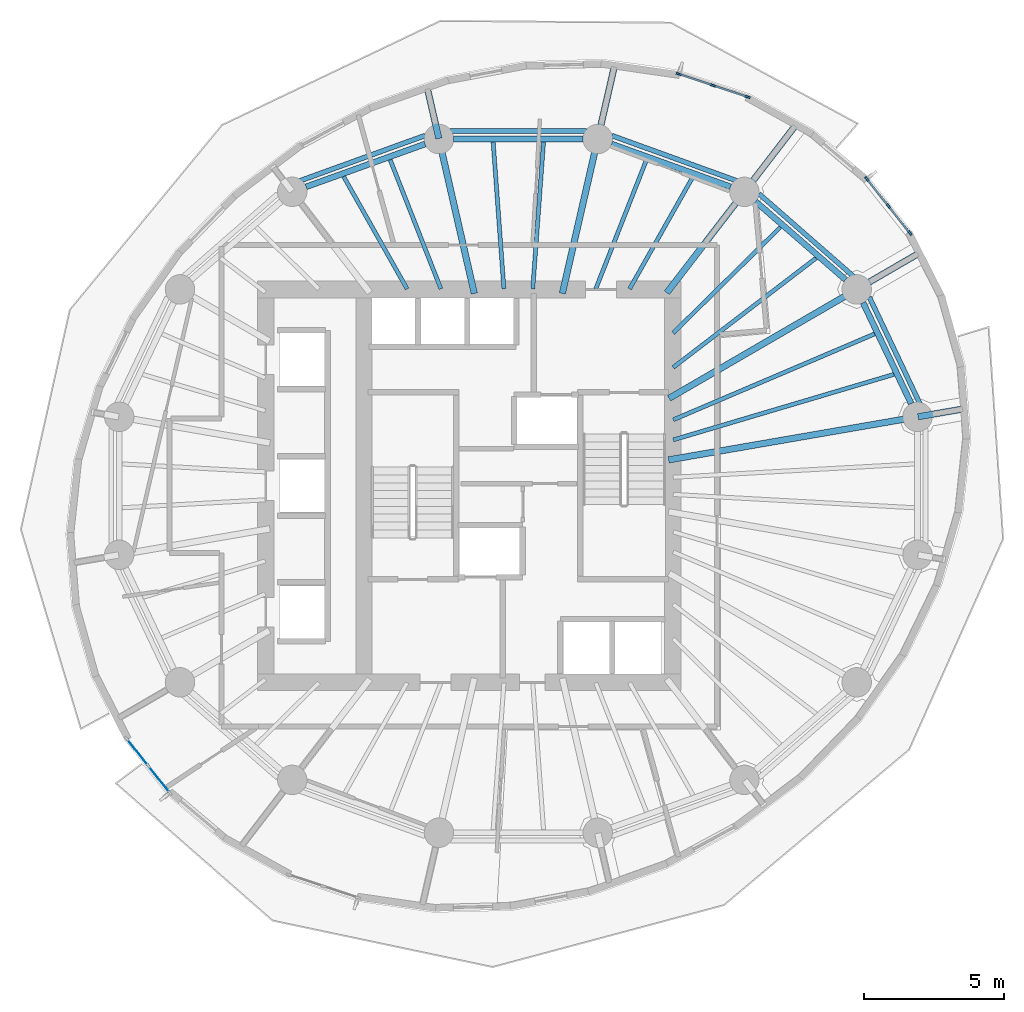
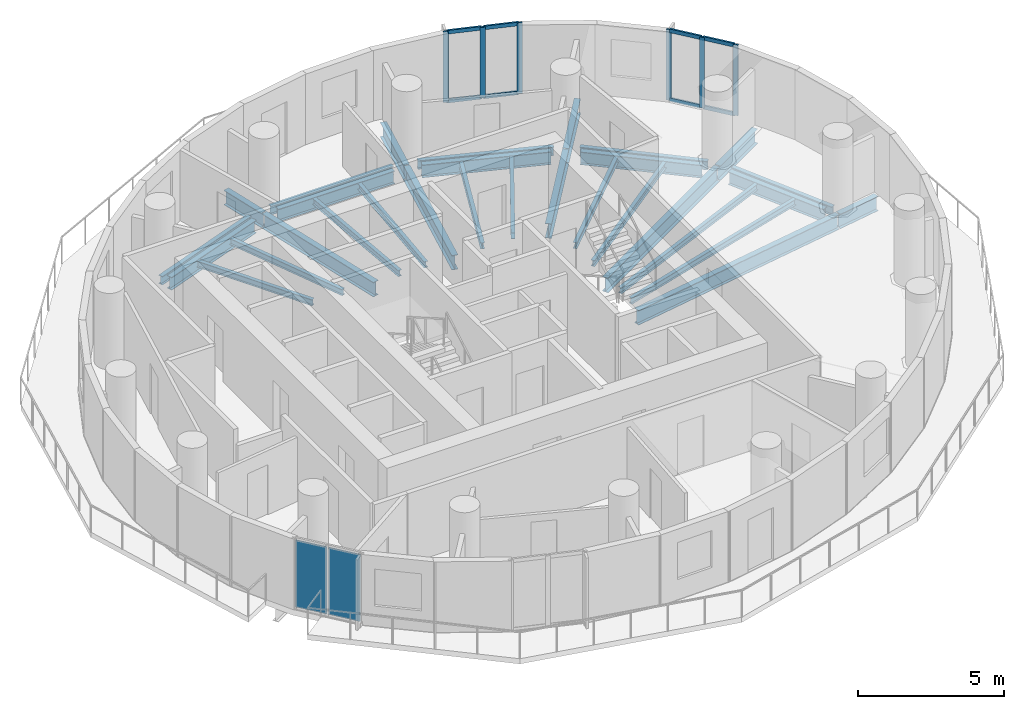
# One storey, part 3 of 12: 30 beams, 14 members, 2 plates, 3 elements without a shape of their own.
"""IFC4 building model written with IfcOpenShell, lengths in metres."""

from ifc_helpers import new_model, si_unit, direction, frame, origin, origin_2d, place, context, subcontext, project, spatial, rectangle, i_section, extrude, material, layer, layer_set, material_profile, profile_set, type_object, element, aggregate, save


model = new_model("IFC4")

# Units and contexts
model_context = context("Model", 3, precision=1e-05, world=origin(), true_north=direction((0.0, 1.0)))
body_context = subcontext(model_context, "Body", "Model", "MODEL_VIEW")
ifc_project = project(units=[si_unit("LENGTHUNIT", "METRE"), si_unit("AREAUNIT", "SQUARE_METRE"), si_unit("VOLUMEUNIT", "CUBIC_METRE"), si_unit("PLANEANGLEUNIT", "RADIAN"), si_unit("MASSUNIT", "GRAM", prefix="KILO")], contexts=[model_context])

# Site, building, storey
site_placement = place(None, origin())
site = spatial("IfcSite", under=ifc_project, at=site_placement, CompositionType="ELEMENT")
building_placement = place(site_placement, origin())
building = spatial("IfcBuilding", under=site, at=building_placement, Name="Veldorim Arch Residences", CompositionType="ELEMENT")
storey_placement = place(building_placement, frame((0.0, 0.0, 136.159912109375)))
storey = spatial("IfcBuildingStorey", under=building, at=storey_placement, Name="L40", CompositionType="ELEMENT", Elevation=136.159912109375)

# Beams
ifc_material_1 = material(Name="Steel S355", Category="steel")
ifc_material_profile_1 = material_profile(ifc_material_1, i_section(OverallWidth=0.2099609375, OverallDepth=0.53662109375, WebThickness=0.0107421875, FlangeThickness=0.017333984375, at=origin_2d()), Name="UB533x210x101")
ifc_profile_set_1 = profile_set([ifc_material_profile_1], Name="Steel S355")
beam_type_1 = type_object("IfcBeamType", Name="Structural Steel Beam UB533x210x101", PredefinedType="BEAM", material=ifc_profile_set_1)
beam_1_placement = place(storey_placement, frame((45.99560546875, 26.931884765625, -0.50830078125), z_axis=(-0.43028577851, 0.902692721147, 0.0), x_axis=(-0.902692721147, -0.43028577851, 0.0)))
element("IfcBeam", 1, at=beam_1_placement, inside=storey, type_object=beam_type_1, Name="L40 perimeter ring tie beam 01", PredefinedType="BEAM", context=body_context, shape_type="SweptSolid", body=[
    extrude(i_section(OverallWidth=0.2099609375, OverallDepth=0.53662109375, WebThickness=0.0107421875, FlangeThickness=0.017333984375, at=origin_2d()), origin(), (0.0, 0.0, 1.0), 3.98193359375),
])
beam_2_placement = place(storey_placement, frame((43.659912109375, 31.344482421875, -0.50830078125), z_axis=(-0.754810789581, 0.655942582802, 0.0), x_axis=(-0.655942582802, -0.754810789581, 0.0)))
element("IfcBeam", 2, at=beam_2_placement, inside=storey, type_object=beam_type_1, Name="L40 perimeter ring tie beam 02", PredefinedType="BEAM", context=body_context, shape_type="SweptSolid", body=[
    extrude(i_section(OverallWidth=0.2099609375, OverallDepth=0.53662109375, WebThickness=0.0107421875, FlangeThickness=0.017333984375, at=origin_2d()), origin(), (0.0, 0.0, 1.0), 4.249755859375),
])
beam_3_placement = place(storey_placement, frame((39.561767578125, 34.654296875, -0.50830078125), z_axis=(-0.940899155006, 0.338686846673, 0.0), x_axis=(-0.338686846673, -0.940899155006, 0.0)))
element("IfcBeam", 3, at=beam_3_placement, inside=storey, type_object=beam_type_1, Name="L40 perimeter ring tie beam 03", PredefinedType="BEAM", context=body_context, shape_type="SweptSolid", body=[
    extrude(i_section(OverallWidth=0.2099609375, OverallDepth=0.53662109375, WebThickness=0.0107421875, FlangeThickness=0.017333984375, at=origin_2d()), origin(), (0.0, 0.0, 1.0), 4.50537109375),
])
beam_4_placement = place(storey_placement, frame((34.3037109375, 36.35791015625, -0.50830078125), z_axis=(-1.0, 0.0, 0.0), x_axis=(0.0, -1.0, 0.0)))
element("IfcBeam", 4, at=beam_4_placement, inside=storey, type_object=beam_type_1, Name="L40 perimeter ring tie beam 04", PredefinedType="BEAM", context=body_context, shape_type="SweptSolid", body=[
    extrude(i_section(OverallWidth=0.2099609375, OverallDepth=0.53662109375, WebThickness=0.0107421875, FlangeThickness=0.017333984375, at=origin_2d()), origin(), (0.0, 0.0, 1.0), 4.607421875),
])
beam_5_placement = place(storey_placement, frame((28.67724609375, 36.18017578125, -0.50830078125), z_axis=(-0.940899155006, -0.338686846673, 0.0), x_axis=(0.338686846673, -0.940899155006, 0.0)))
element("IfcBeam", 5, at=beam_5_placement, inside=storey, type_object=beam_type_1, Name="L40 perimeter ring tie beam 05", PredefinedType="BEAM", context=body_context, shape_type="SweptSolid", body=[
    extrude(i_section(OverallWidth=0.2099609375, OverallDepth=0.53662109375, WebThickness=0.0107421875, FlangeThickness=0.017333984375, at=origin_2d()), origin(), (0.0, 0.0, 1.0), 4.50537109375),
])
ifc_material_2 = material(Name="Steel S355", Category="steel")
ifc_material_profile_2 = material_profile(ifc_material_2, i_section(OverallWidth=0.22900390625, OverallDepth=0.6123046875, WebThickness=0.011962890625, FlangeThickness=0.01953125, at=origin_2d()), Name="UB610x229x125")
ifc_profile_set_2 = profile_set([ifc_material_profile_2], Name="Steel S355")
beam_type_2 = type_object("IfcBeamType", Name="Structural Steel Beam UB610x229x125", PredefinedType="BEAM", material=ifc_profile_set_2)
beam_6_placement = place(storey_placement, frame((37.352294921875, 24.925048828125, -0.5458984375), z_axis=(0.985389398766, 0.170316566427, 0.0), x_axis=(-0.170316566427, 0.985389398766, 0.0)))
element("IfcBeam", 6, at=beam_6_placement, inside=storey, type_object=beam_type_2, Name="L40 radial floor girder 01", PredefinedType="BEAM", context=body_context, shape_type="SweptSolid", body=[
    extrude(i_section(OverallWidth=0.22900390625, OverallDepth=0.6123046875, WebThickness=0.011962890625, FlangeThickness=0.01953125, at=origin_2d()), origin(), (0.0, 0.0, 1.0), 8.98046875),
])
beam_7_placement = place(storey_placement, frame((46.2412109375, 26.46142578125, -0.5458984375), z_axis=(0.985381722232, 0.170360974082, 0.0), x_axis=(-0.170360974082, 0.985381722232, 0.0)))
element("IfcBeam", 7, at=beam_7_placement, inside=storey, type_object=beam_type_2, Name="L40 radial edge cantilever girder 01", PredefinedType="BEAM", context=body_context, shape_type="SweptSolid", body=[
    extrude(i_section(OverallWidth=0.22900390625, OverallDepth=0.6123046875, WebThickness=0.011962890625, FlangeThickness=0.01953125, at=origin_2d()), origin(), (0.0, 0.0, 1.0), 1.6923828125),
])
beam_8_placement = place(storey_placement, frame((37.370361328125, 27.1181640625, -0.5458984375), z_axis=(0.864793381443, 0.502127879542, 0.0), x_axis=(-0.502127879542, 0.864793381443, 0.0)))
element("IfcBeam", 8, at=beam_8_placement, inside=storey, type_object=beam_type_2, Name="L40 radial floor girder 02", PredefinedType="BEAM", context=body_context, shape_type="SweptSolid", body=[
    extrude(i_section(OverallWidth=0.22900390625, OverallDepth=0.6123046875, WebThickness=0.011962890625, FlangeThickness=0.01953125, at=origin_2d()), origin(), (0.0, 0.0, 1.0), 7.71142578125),
])
beam_9_placement = place(storey_placement, frame((44.073486328125, 31.01025390625, -0.5458984375), z_axis=(0.864786295309, 0.502140083488, 0.0), x_axis=(-0.502140083488, 0.864786295309, 0.0)))
element("IfcBeam", 9, at=beam_9_placement, inside=storey, type_object=beam_type_2, Name="L40 radial edge cantilever girder 02", PredefinedType="BEAM", context=body_context, shape_type="SweptSolid", body=[
    extrude(i_section(OverallWidth=0.22900390625, OverallDepth=0.6123046875, WebThickness=0.011962890625, FlangeThickness=0.01953125, at=origin_2d()), origin(), (0.0, 0.0, 1.0), 2.579833984375),
])
beam_10_placement = place(storey_placement, frame((37.291259765625, 30.881103515625, -0.5458984375), z_axis=(0.609559199361, 0.792740551804, 0.0), x_axis=(-0.792740551804, 0.609559199361, 0.0)))
element("IfcBeam", 10, at=beam_10_placement, inside=storey, type_object=beam_type_2, Name="L40 radial floor girder 03", PredefinedType="BEAM", context=body_context, shape_type="SweptSolid", body=[
    extrude(i_section(OverallWidth=0.22900390625, OverallDepth=0.6123046875, WebThickness=0.011962890625, FlangeThickness=0.01953125, at=origin_2d()), origin(), (0.0, 0.0, 1.0), 4.515380859375),
])
beam_11_placement = place(storey_placement, frame((40.068115234375, 34.492431640625, -0.5458984375), z_axis=(0.609562364778, 0.792738117821, 0.0), x_axis=(-0.792738117821, 0.609562364778, 0.0)))
element("IfcBeam", 11, at=beam_11_placement, inside=storey, type_object=beam_type_2, Name="L40 radial edge cantilever girder 03", PredefinedType="BEAM", context=body_context, shape_type="SweptSolid", body=[
    extrude(i_section(OverallWidth=0.22900390625, OverallDepth=0.6123046875, WebThickness=0.011962890625, FlangeThickness=0.01953125, at=origin_2d()), origin(), (0.0, 0.0, 1.0), 3.021484375),
])
beam_12_placement = place(storey_placement, frame((33.56884765625, 30.853759765625, -0.5458984375), z_axis=(0.223119342184, 0.974791136164, 0.0), x_axis=(-0.974791136164, 0.223119342184, 0.0)))
element("IfcBeam", 12, at=beam_12_placement, inside=storey, type_object=beam_type_2, Name="L40 radial floor girder 04", PredefinedType="BEAM", context=body_context, shape_type="SweptSolid", body=[
    extrude(i_section(OverallWidth=0.22900390625, OverallDepth=0.6123046875, WebThickness=0.011962890625, FlangeThickness=0.01953125, at=origin_2d()), origin(), (0.0, 0.0, 1.0), 5.62646484375),
])
beam_13_placement = place(storey_placement, frame((34.833251953125, 36.37744140625, -0.5458984375), z_axis=(0.223142644538, 0.974785802209, 0.0), x_axis=(-0.974785802209, 0.223142644538, 0.0)))
element("IfcBeam", 13, at=beam_13_placement, inside=storey, type_object=beam_type_2, Name="L40 radial edge cantilever girder 04", PredefinedType="BEAM", context=body_context, shape_type="SweptSolid", body=[
    extrude(i_section(OverallWidth=0.22900390625, OverallDepth=0.6123046875, WebThickness=0.011962890625, FlangeThickness=0.01953125, at=origin_2d()), origin(), (0.0, 0.0, 1.0), 2.6904296875),
])
beam_14_placement = place(storey_placement, frame((30.43115234375, 30.853759765625, -0.5458984375), z_axis=(-0.223119342184, 0.974791136164, 0.0), x_axis=(-0.974791136164, -0.223119342184, 0.0)))
element("IfcBeam", 14, at=beam_14_placement, inside=storey, type_object=beam_type_2, Name="L40 radial floor girder 05", PredefinedType="BEAM", context=body_context, shape_type="SweptSolid", body=[
    extrude(i_section(OverallWidth=0.22900390625, OverallDepth=0.6123046875, WebThickness=0.011962890625, FlangeThickness=0.01953125, at=origin_2d()), origin(), (0.0, 0.0, 1.0), 5.62646484375),
])
beam_15_placement = place(storey_placement, frame((29.166748046875, 36.37744140625, -0.5458984375), z_axis=(-0.223112606044, 0.97479267797, 0.0), x_axis=(-0.97479267797, -0.223112606044, 0.0)))
element("IfcBeam", 15, at=beam_15_placement, inside=storey, type_object=beam_type_2, Name="L40 radial edge cantilever girder 05", PredefinedType="BEAM", context=body_context, shape_type="SweptSolid", body=[
    extrude(i_section(OverallWidth=0.22900390625, OverallDepth=0.6123046875, WebThickness=0.011962890625, FlangeThickness=0.01953125, at=origin_2d()), origin(), (0.0, 0.0, 1.0), 1.888671875),
])
ifc_material_3 = material(Name="Steel S355", Category="steel")
ifc_material_profile_3 = material_profile(ifc_material_3, i_section(OverallWidth=0.146484375, OverallDepth=0.256103515625, WebThickness=0.00634765625, FlangeThickness=0.010986328125, at=origin_2d()), Name="UB254x146x37")
ifc_profile_set_3 = profile_set([ifc_material_profile_3], Name="Steel S355")
beam_type_3 = type_object("IfcBeamType", Name="Structural Steel Joist UB254x146x37", PredefinedType="JOIST", material=ifc_profile_set_3)
beam_16_placement = place(storey_placement, frame((37.519287109375, 25.63818359375, -0.367919921875), z_axis=(0.958674276305, 0.284505943614, 0.0), x_axis=(-0.284505943614, 0.958674276305, 0.0)))
element("IfcBeam", 16, at=beam_16_placement, inside=storey, type_object=beam_type_3, Name="L40 secondary radial floor joist 01-1", PredefinedType="JOIST", context=body_context, shape_type="SweptSolid", body=[
    extrude(i_section(OverallWidth=0.146484375, OverallDepth=0.256103515625, WebThickness=0.00634765625, FlangeThickness=0.010986328125, at=origin_2d()), origin(), (0.0, 0.0, 1.0), 8.2001953125),
])
beam_17_placement = place(storey_placement, frame((37.518310546875, 26.353515625, -0.367919921875), z_axis=(0.919831795434, 0.39231297214, 0.0), x_axis=(-0.39231297214, 0.919831795434, 0.0)))
element("IfcBeam", 17, at=beam_17_placement, inside=storey, type_object=beam_type_3, Name="L40 secondary radial floor joist 01-2", PredefinedType="JOIST", context=body_context, shape_type="SweptSolid", body=[
    extrude(i_section(OverallWidth=0.146484375, OverallDepth=0.256103515625, WebThickness=0.00634765625, FlangeThickness=0.010986328125, at=origin_2d()), origin(), (0.0, 0.0, 1.0), 7.798828125),
])
beam_18_placement = place(storey_placement, frame((37.515869140625, 28.219482421875, -0.367919921875), z_axis=(0.794267053144, 0.607568801281, 0.0), x_axis=(-0.607568801281, 0.794267053144, 0.0)))
element("IfcBeam", 18, at=beam_18_placement, inside=storey, type_object=beam_type_3, Name="L40 secondary radial floor joist 02-1", PredefinedType="JOIST", context=body_context, shape_type="SweptSolid", body=[
    extrude(i_section(OverallWidth=0.146484375, OverallDepth=0.256103515625, WebThickness=0.00634765625, FlangeThickness=0.010986328125, at=origin_2d()), origin(), (0.0, 0.0, 1.0), 6.412841796875),
])
beam_19_placement = place(storey_placement, frame((37.51416015625, 29.443115234375, -0.367919921875), z_axis=(0.711703457158, 0.702480027523, 0.0), x_axis=(-0.702480027523, 0.711703457158, 0.0)))
element("IfcBeam", 19, at=beam_19_placement, inside=storey, type_object=beam_type_3, Name="L40 secondary radial floor joist 02-2", PredefinedType="JOIST", context=body_context, shape_type="SweptSolid", body=[
    extrude(i_section(OverallWidth=0.146484375, OverallDepth=0.256103515625, WebThickness=0.00634765625, FlangeThickness=0.010986328125, at=origin_2d()), origin(), (0.0, 0.0, 1.0), 5.373291015625),
])
beam_20_placement = place(storey_placement, frame((35.96337890625, 31.017333984375, -0.367919921875), z_axis=(0.491815801586, 0.870699269157, 0.0), x_axis=(-0.870699269157, 0.491815801586, 0.0)))
element("IfcBeam", 20, at=beam_20_placement, inside=storey, type_object=beam_type_3, Name="L40 secondary radial floor joist 03-1", PredefinedType="JOIST", context=body_context, shape_type="SweptSolid", body=[
    extrude(i_section(OverallWidth=0.146484375, OverallDepth=0.256103515625, WebThickness=0.00634765625, FlangeThickness=0.010986328125, at=origin_2d()), origin(), (0.0, 0.0, 1.0), 4.59814453125),
])
beam_21_placement = place(storey_placement, frame((34.7587890625, 31.0185546875, -0.367919921875), z_axis=(0.365777738491, 0.930702232739, 0.0), x_axis=(-0.930702232739, 0.365777738491, 0.0)))
element("IfcBeam", 21, at=beam_21_placement, inside=storey, type_object=beam_type_3, Name="L40 secondary radial floor joist 03-2", PredefinedType="JOIST", context=body_context, shape_type="SweptSolid", body=[
    extrude(i_section(OverallWidth=0.146484375, OverallDepth=0.256103515625, WebThickness=0.00634765625, FlangeThickness=0.010986328125, at=origin_2d()), origin(), (0.0, 0.0, 1.0), 4.9404296875),
])
for number, where, z_axis, x_axis, name in (
    (22, (32.51416015625, 31.02001953125, -0.367919921875), (0.073060364166, 0.997327520521, 0.0), (-0.997327520521, 0.073060364166, 0.0), "L40 secondary radial floor joist 04-1"),
    (23, (31.48583984375, 31.02001953125, -0.367919921875), (-0.073060364166, 0.997327520521, 0.0), (-0.997327520521, -0.073060364166, 0.0), "L40 secondary radial floor joist 04-2"),
):
    element("IfcBeam", number, at=place(storey_placement, frame(where, z_axis=z_axis, x_axis=x_axis)), inside=storey, type_object=beam_type_3, Name=name, PredefinedType="JOIST", context=body_context, shape_type="SweptSolid", body=[
        extrude(i_section(OverallWidth=0.146484375, OverallDepth=0.256103515625, WebThickness=0.00634765625, FlangeThickness=0.010986328125, at=origin_2d()), origin(), (0.0, 0.0, 1.0), 5.242919921875),
    ])
beam_22_placement = place(storey_placement, frame((29.2412109375, 31.0185546875, -0.367919921875), z_axis=(-0.365777738491, 0.930702232739, 0.0), x_axis=(-0.930702232739, -0.365777738491, 0.0)))
element("IfcBeam", 24, at=beam_22_placement, inside=storey, type_object=beam_type_3, Name="L40 secondary radial floor joist 05-1", PredefinedType="JOIST", context=body_context, shape_type="SweptSolid", body=[
    extrude(i_section(OverallWidth=0.146484375, OverallDepth=0.256103515625, WebThickness=0.00634765625, FlangeThickness=0.010986328125, at=origin_2d()), origin(), (0.0, 0.0, 1.0), 4.9404296875),
])
beam_23_placement = place(storey_placement, frame((28.03662109375, 31.017333984375, -0.367919921875), z_axis=(-0.491815801586, 0.870699269157, 0.0), x_axis=(-0.870699269157, -0.491815801586, 0.0)))
element("IfcBeam", 25, at=beam_23_placement, inside=storey, type_object=beam_type_3, Name="L40 secondary radial floor joist 05-2", PredefinedType="JOIST", context=body_context, shape_type="SweptSolid", body=[
    extrude(i_section(OverallWidth=0.146484375, OverallDepth=0.256103515625, WebThickness=0.00634765625, FlangeThickness=0.010986328125, at=origin_2d()), origin(), (0.0, 0.0, 1.0), 4.59814453125),
])
ifc_material_4 = material(Name="Steel S355", Category="steel")
ifc_material_profile_4 = material_profile(ifc_material_4, i_section(OverallWidth=0.172119140625, OverallDepth=0.35791015625, WebThickness=0.008056640625, FlangeThickness=0.012939453125, at=origin_2d()), Name="UB356x171x57")
ifc_profile_set_4 = profile_set([ifc_material_profile_4], Name="Steel S355")
beam_type_4 = type_object("IfcBeamType", Name="Structural Steel Spandrel UB356x171x57", PredefinedType="SPANDREL", material=ifc_profile_set_4)
beam_24_placement = place(storey_placement, frame((46.307861328125, 26.9248046875, -0.43896484375), z_axis=(-0.428579957662, 0.903503857153, 0.0), x_axis=(-0.903503857153, -0.428579957662, 0.0)))
element("IfcBeam", 26, at=beam_24_placement, inside=storey, type_object=beam_type_4, Name="L40 perimeter chord spandrel beam 01", PredefinedType="SPANDREL", context=body_context, shape_type="SweptSolid", body=[
    extrude(i_section(OverallWidth=0.172119140625, OverallDepth=0.35791015625, WebThickness=0.008056640625, FlangeThickness=0.012939453125, at=origin_2d()), origin(), (0.0, 0.0, 1.0), 4.209228515625),
])
beam_25_placement = place(storey_placement, frame((43.9580078125, 31.44921875, -0.43896484375), z_axis=(-0.753014748982, 0.658003638148, 0.0), x_axis=(-0.658003638148, -0.753014748982, 0.0)))
element("IfcBeam", 27, at=beam_25_placement, inside=storey, type_object=beam_type_4, Name="L40 perimeter chord spandrel beam 02", PredefinedType="SPANDREL", context=body_context, shape_type="SweptSolid", body=[
    extrude(i_section(OverallWidth=0.172119140625, OverallDepth=0.35791015625, WebThickness=0.008056640625, FlangeThickness=0.012939453125, at=origin_2d()), origin(), (0.0, 0.0, 1.0), 4.486572265625),
])
beam_26_placement = place(storey_placement, frame((39.79736328125, 34.86279296875, -0.43896484375), z_axis=(-0.940212553113, 0.340588248429, 0.0), x_axis=(-0.340588248429, -0.940212553113, 0.0)))
element("IfcBeam", 28, at=beam_26_placement, inside=storey, type_object=beam_type_4, Name="L40 perimeter chord spandrel beam 03", PredefinedType="SPANDREL", context=body_context, shape_type="SweptSolid", body=[
    extrude(i_section(OverallWidth=0.172119140625, OverallDepth=0.35791015625, WebThickness=0.008056640625, FlangeThickness=0.012939453125, at=origin_2d()), origin(), (0.0, 0.0, 1.0), 4.75390625),
])
beam_27_placement = place(storey_placement, frame((34.43115234375, 36.639404296875, -0.43896484375), z_axis=(-1.0, 0.0, 0.0), x_axis=(0.0, -1.0, 0.0)))
element("IfcBeam", 29, at=beam_27_placement, inside=storey, type_object=beam_type_4, Name="L40 perimeter chord spandrel beam 04", PredefinedType="SPANDREL", context=body_context, shape_type="SweptSolid", body=[
    extrude(i_section(OverallWidth=0.172119140625, OverallDepth=0.35791015625, WebThickness=0.008056640625, FlangeThickness=0.012939453125, at=origin_2d()), origin(), (0.0, 0.0, 1.0), 4.8623046875),
])
beam_28_placement = place(storey_placement, frame((28.67236328125, 36.48193359375, -0.43896484375), z_axis=(-0.940212553113, -0.340588248429, 0.0), x_axis=(0.340588248429, -0.940212553113, 0.0)))
element("IfcBeam", 30, at=beam_28_placement, inside=storey, type_object=beam_type_4, Name="L40 perimeter chord spandrel beam 05", PredefinedType="SPANDREL", context=body_context, shape_type="SweptSolid", body=[
    extrude(i_section(OverallWidth=0.172119140625, OverallDepth=0.35791015625, WebThickness=0.008056640625, FlangeThickness=0.012939453125, at=origin_2d()), origin(), (0.0, 0.0, 1.0), 4.75390625),
])

# Curtain wall, members
ifc_material_5 = material(Name="Aluminium", Category="aluminium")
curtain_wall_type = type_object("IfcCurtainWallType", Name="Zone 3 High-Wind Unitised Curtain Wall", PredefinedType="NOTDEFINED", material=ifc_material_5)
curtain_wall_1_placement = place(storey_placement, origin())
curtain_wall_1 = element("IfcCurtainWall", 31, at=curtain_wall_1_placement, inside=storey, type_object=curtain_wall_type, Name="L40 unitised curtain wall bay 01", PredefinedType="NOTDEFINED")
ifc_material_6 = material(Name="Aluminium", Category="aluminium")
ifc_material_profile_5 = material_profile(ifc_material_6, rectangle(XDim=0.070068359375, YDim=0.179931640625, at=origin_2d()), Name="ALU_MUL_70x180")
ifc_profile_set_5 = profile_set([ifc_material_profile_5], Name="Aluminium")
member_type_1 = type_object("IfcMemberType", Name="Zone 3 High-Wind Unitised Curtain Wall Mullion 70x180", PredefinedType="MULLION", material=ifc_profile_set_5)
member_1_placement = place(storey_placement, frame((44.41748046875, 34.9365234375, 0.0), z_axis=(0.0, 0.0, 1.0), x_axis=(0.782556048079, 0.622580140716, 0.0)))
member_1 = element("IfcMember", 32, at=member_1_placement, type_object=member_type_1, Name="CW-Z3 mullion 1", PredefinedType="MULLION", context=body_context, shape_type="SweptSolid", body=[
    extrude(rectangle(XDim=0.070068359375, YDim=0.179931640625, at=origin_2d()), origin(), (0.0, 0.0, 1.0), 2.960205078125),
])
member_2_placement = place(storey_placement, frame((45.1845703125, 33.97216796875, 0.0), z_axis=(0.0, 0.0, 1.0), x_axis=(0.782556048079, 0.622580140716, 0.0)))
member_2 = element("IfcMember", 33, at=member_2_placement, type_object=member_type_1, Name="CW-Z3 mullion 2", PredefinedType="MULLION", context=body_context, shape_type="SweptSolid", body=[
    extrude(rectangle(XDim=0.070068359375, YDim=0.179931640625, at=origin_2d()), origin(), (0.0, 0.0, 1.0), 2.960205078125),
])
member_3_placement = place(storey_placement, frame((45.95166015625, 33.008056640625, 0.0), z_axis=(0.0, 0.0, 1.0), x_axis=(0.782556048079, 0.622580140716, 0.0)))
member_3 = element("IfcMember", 34, at=member_3_placement, type_object=member_type_1, Name="CW-Z3 mullion 3", PredefinedType="MULLION", context=body_context, shape_type="SweptSolid", body=[
    extrude(rectangle(XDim=0.070068359375, YDim=0.179931640625, at=origin_2d()), origin(), (0.0, 0.0, 1.0), 2.960205078125),
])

curtain_wall_2_placement = place(storey_placement, origin())
curtain_wall_2 = element("IfcCurtainWall", 35, at=curtain_wall_2_placement, inside=storey, type_object=curtain_wall_type, Name="L40 unitised curtain wall bay 04", PredefinedType="NOTDEFINED")
member_4_placement = place(storey_placement, frame((37.71240234375, 38.6748046875, 0.0), z_axis=(0.0, 0.0, 1.0), x_axis=(0.315551503895, 0.948908451006, 0.0)))
member_4 = element("IfcMember", 36, at=member_4_placement, type_object=member_type_1, Name="CW-Z3 mullion 1", PredefinedType="MULLION", context=body_context, shape_type="SweptSolid", body=[
    extrude(rectangle(XDim=0.070068359375, YDim=0.179931640625, at=origin_2d()), origin(), (0.0, 0.0, 1.0), 2.960205078125),
])
member_5_placement = place(storey_placement, frame((38.9423828125, 38.265869140625, 0.0), z_axis=(0.0, 0.0, 1.0), x_axis=(0.315551503895, 0.948908451006, 0.0)))
member_5 = element("IfcMember", 37, at=member_5_placement, type_object=member_type_1, Name="CW-Z3 mullion 2", PredefinedType="MULLION", context=body_context, shape_type="SweptSolid", body=[
    extrude(rectangle(XDim=0.070068359375, YDim=0.179931640625, at=origin_2d()), origin(), (0.0, 0.0, 1.0), 2.960205078125),
])
member_6_placement = place(storey_placement, frame((40.172119140625, 37.85693359375, 0.0), z_axis=(0.0, 0.0, 1.0), x_axis=(0.315551503895, 0.948908451006, 0.0)))
member_6 = element("IfcMember", 38, at=member_6_placement, type_object=member_type_1, Name="CW-Z3 mullion 3", PredefinedType="MULLION", context=body_context, shape_type="SweptSolid", body=[
    extrude(rectangle(XDim=0.070068359375, YDim=0.179931640625, at=origin_2d()), origin(), (0.0, 0.0, 1.0), 2.960205078125),
])

# Member
ifc_material_7 = material(Name="Aluminium", Category="aluminium")
ifc_material_profile_6 = material_profile(ifc_material_7, rectangle(XDim=0.070068359375, YDim=0.155029296875, at=origin_2d()), Name="ALU_TRN_70x155")
ifc_profile_set_6 = profile_set([ifc_material_profile_6], Name="Aluminium")
member_type_2 = type_object("IfcMemberType", Name="Zone 3 High-Wind Unitised Curtain Wall Transom 70x155", PredefinedType="USERDEFINED", material=ifc_profile_set_6)
member_7_placement = place(storey_placement, frame((44.439208984375, 34.908935546875, 0.03515625), z_axis=(0.622745807407, -0.782424219562, 0.0), x_axis=(0.782424219562, 0.622745807407, 0.0)))
member_7 = element("IfcMember", 39, at=member_7_placement, type_object=member_type_2, Name="CW-Z3 transom 1.1", ObjectType="TRANSOM", PredefinedType="USERDEFINED", context=body_context, shape_type="SweptSolid", body=[
    extrude(rectangle(XDim=0.070068359375, YDim=0.155029296875, at=origin_2d()), origin(), (0.0, 0.0, 1.0), 1.162109375),
])

member_8_placement = place(storey_placement, frame((44.439208984375, 34.908935546875, 2.925048828125), z_axis=(0.622745807407, -0.782424219562, 0.0), x_axis=(0.782424219562, 0.622745807407, 0.0)))
member_8 = element("IfcMember", 40, at=member_8_placement, type_object=member_type_2, Name="CW-Z3 transom 1.2", ObjectType="TRANSOM", PredefinedType="USERDEFINED", context=body_context, shape_type="SweptSolid", body=[
    extrude(rectangle(XDim=0.070068359375, YDim=0.155029296875, at=origin_2d()), origin(), (0.0, 0.0, 1.0), 1.162109375),
])

member_9_placement = place(storey_placement, frame((45.206298828125, 33.94482421875, 0.03515625), z_axis=(0.622643445839, -0.782505680078, 0.0), x_axis=(0.782505680078, 0.622643445839, 0.0)))
member_9 = element("IfcMember", 41, at=member_9_placement, type_object=member_type_2, Name="CW-Z3 transom 2.1", ObjectType="TRANSOM", PredefinedType="USERDEFINED", context=body_context, shape_type="SweptSolid", body=[
    extrude(rectangle(XDim=0.070068359375, YDim=0.155029296875, at=origin_2d()), origin(), (0.0, 0.0, 1.0), 1.162109375),
])

member_10_placement = place(storey_placement, frame((45.206298828125, 33.94482421875, 2.925048828125), z_axis=(0.622643445839, -0.782505680078, 0.0), x_axis=(0.782505680078, 0.622643445839, 0.0)))
member_10 = element("IfcMember", 42, at=member_10_placement, type_object=member_type_2, Name="CW-Z3 transom 2.2", ObjectType="TRANSOM", PredefinedType="USERDEFINED", context=body_context, shape_type="SweptSolid", body=[
    extrude(rectangle(XDim=0.070068359375, YDim=0.155029296875, at=origin_2d()), origin(), (0.0, 0.0, 1.0), 1.162109375),
])

aggregate(curtain_wall_1, [member_1, member_2, member_3, member_7, member_8, member_9, member_10])

member_11_placement = place(storey_placement, frame((37.74560546875, 38.663818359375, 0.03515625), z_axis=(0.948902078568, -0.315570666079, 0.0), x_axis=(0.315570666079, 0.948902078568, 0.0)))
member_11 = element("IfcMember", 43, at=member_11_placement, type_object=member_type_2, Name="CW-Z3 transom 1.1", ObjectType="TRANSOM", PredefinedType="USERDEFINED", context=body_context, shape_type="SweptSolid", body=[
    extrude(rectangle(XDim=0.070068359375, YDim=0.155029296875, at=origin_2d()), origin(), (0.0, 0.0, 1.0), 1.226318359375),
])

member_12_placement = place(storey_placement, frame((37.74560546875, 38.663818359375, 2.925048828125), z_axis=(0.948902078568, -0.315570666079, 0.0), x_axis=(0.315570666079, 0.948902078568, 0.0)))
member_12 = element("IfcMember", 44, at=member_12_placement, type_object=member_type_2, Name="CW-Z3 transom 1.2", ObjectType="TRANSOM", PredefinedType="USERDEFINED", context=body_context, shape_type="SweptSolid", body=[
    extrude(rectangle(XDim=0.070068359375, YDim=0.155029296875, at=origin_2d()), origin(), (0.0, 0.0, 1.0), 1.226318359375),
])

member_13_placement = place(storey_placement, frame((38.9755859375, 38.2548828125, 0.03515625), z_axis=(0.948882245783, -0.315630295817, 0.0), x_axis=(0.315630295817, 0.948882245783, 0.0)))
member_13 = element("IfcMember", 45, at=member_13_placement, type_object=member_type_2, Name="CW-Z3 transom 2.1", ObjectType="TRANSOM", PredefinedType="USERDEFINED", context=body_context, shape_type="SweptSolid", body=[
    extrude(rectangle(XDim=0.070068359375, YDim=0.155029296875, at=origin_2d()), origin(), (0.0, 0.0, 1.0), 1.22607421875),
])

member_14_placement = place(storey_placement, frame((38.9755859375, 38.2548828125, 2.925048828125), z_axis=(0.948882245783, -0.315630295817, 0.0), x_axis=(0.315630295817, 0.948882245783, 0.0)))
member_14 = element("IfcMember", 46, at=member_14_placement, type_object=member_type_2, Name="CW-Z3 transom 2.2", ObjectType="TRANSOM", PredefinedType="USERDEFINED", context=body_context, shape_type="SweptSolid", body=[
    extrude(rectangle(XDim=0.070068359375, YDim=0.155029296875, at=origin_2d()), origin(), (0.0, 0.0, 1.0), 1.22607421875),
])

aggregate(curtain_wall_2, [member_4, member_5, member_6, member_11, member_12, member_13, member_14])

# Curtain wall, plates
curtain_wall_3_placement = place(storey_placement, origin())
curtain_wall_3 = element("IfcCurtainWall", 47, at=curtain_wall_3_placement, inside=storey, type_object=curtain_wall_type, Name="L40 unitised curtain wall bay 19", PredefinedType="NOTDEFINED")
ifc_material_8 = material(Name="Laminated Low-E Glass", Category="glass")
ifc_layer = layer(ifc_material_8, 0.028076171875, Name="Zone 3 High-Wind Unitised Curtain Wall Glazing Panel 28")
ifc_layer_set = layer_set([ifc_layer], Name="Laminated Low-E Glass")
plate_type = type_object("IfcPlateType", Name="Zone 3 High-Wind Unitised Curtain Wall Glazing Panel 28", PredefinedType="CURTAIN_PANEL", material=ifc_layer_set)
plate_1_placement = place(storey_placement, frame((19.198974609375, 13.545654296875, 0.06982421875), z_axis=(0.0, 0.0, 1.0), x_axis=(-0.622580140716, 0.782556048079, 0.0)))
plate_1 = element("IfcPlate", 48, at=plate_1_placement, type_object=plate_type, Name="CW-Z3 panel 1.1", PredefinedType="CURTAIN_PANEL", context=body_context, shape_type="SweptSolid", body=[
    extrude(rectangle(XDim=1.162109375, YDim=0.028076171875, at=origin_2d()), origin(), (0.0, 0.0, 1.0), 2.820068359375),
])
plate_2_placement = place(storey_placement, frame((18.431884765625, 14.509765625, 0.06982421875), z_axis=(0.0, 0.0, 1.0), x_axis=(-0.622580140716, 0.782556048079, 0.0)))
plate_2 = element("IfcPlate", 49, at=plate_2_placement, type_object=plate_type, Name="CW-Z3 panel 2.1", PredefinedType="CURTAIN_PANEL", context=body_context, shape_type="SweptSolid", body=[
    extrude(rectangle(XDim=1.162109375, YDim=0.028076171875, at=origin_2d()), origin(), (0.0, 0.0, 1.0), 2.820068359375),
])
aggregate(curtain_wall_3, [plate_1, plate_2])

save(model, "model.ifc")
